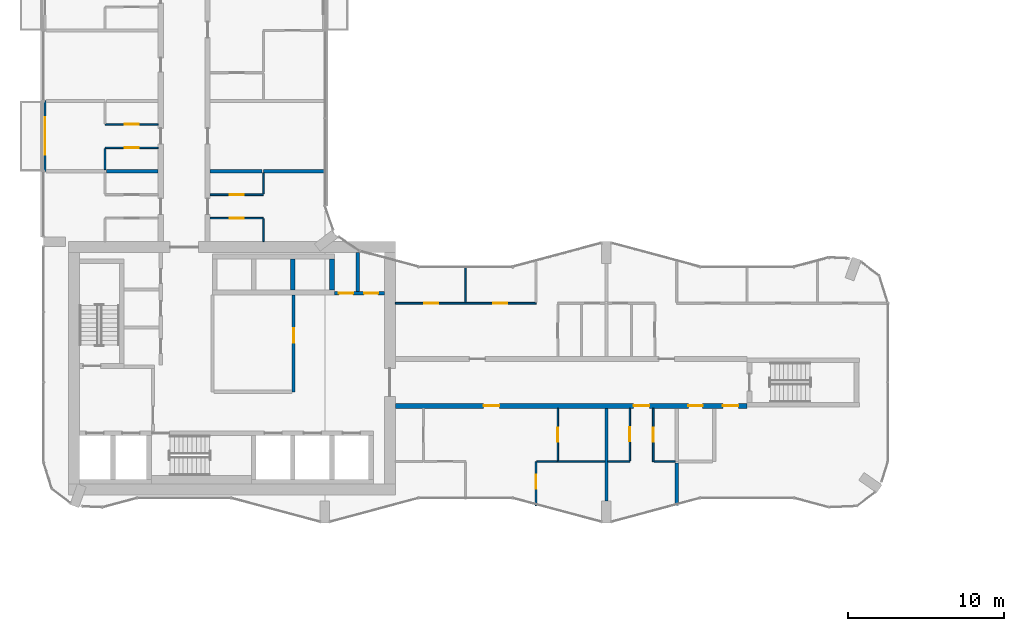
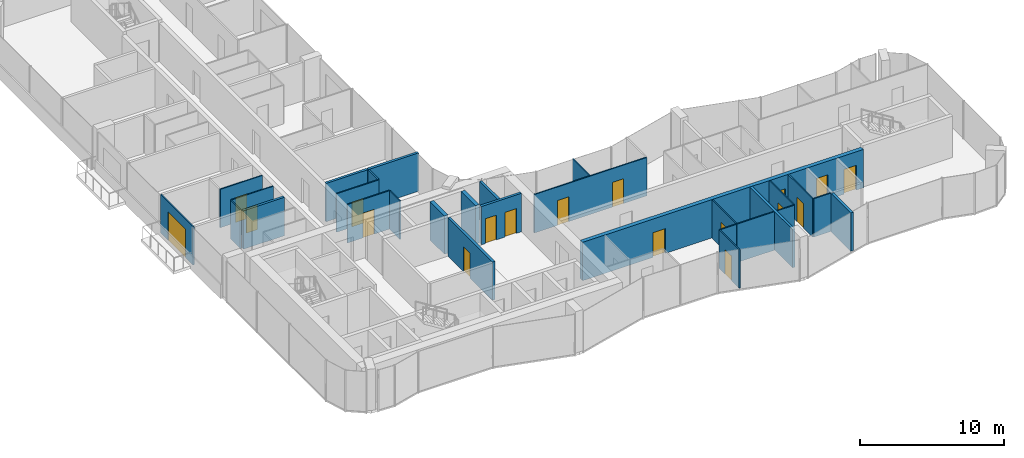
# One storey, part 14 of 23: 29 walls, 18 doors, 18 openings.
"""IFC4 building model written with IfcOpenShell, lengths in metres."""

from ifc_helpers import new_model, si_unit, direction, frame, frame_2d, origin, place, context, subcontext, project, spatial, rectangle, extrude, material, layer, layer_set, type_object, element, fill, save


model = new_model("IFC4")

# Units and contexts
model_context = context("Model", 3, precision=1e-05, world=origin(), true_north=direction((0.0, 1.0)))
body_context = subcontext(model_context, "Body", "Model", "MODEL_VIEW")
ifc_project = project(units=[si_unit("LENGTHUNIT", "METRE"), si_unit("AREAUNIT", "SQUARE_METRE"), si_unit("VOLUMEUNIT", "CUBIC_METRE"), si_unit("PLANEANGLEUNIT", "RADIAN"), si_unit("MASSUNIT", "GRAM", prefix="KILO")], contexts=[model_context])

# Site, building, storey
site_placement = place(None, origin())
site = spatial("IfcSite", under=ifc_project, at=site_placement, CompositionType="ELEMENT")
building_placement = place(site_placement, origin())
building = spatial("IfcBuilding", under=site, at=building_placement, Name="Plateau Cross Towers", CompositionType="ELEMENT")
storey_placement = place(building_placement, frame((0.0, 0.0, 88.800048828125)))
storey = spatial("IfcBuildingStorey", under=building, at=storey_placement, Name="L22", CompositionType="ELEMENT", Elevation=88.800048828125)

# Wall, opening, door
ifc_material_1 = material(Name="Aluminium framed glazing", Category="aluminium")
ifc_layer_1 = layer(ifc_material_1, 0.10009765625)
ifc_layer_set_1 = layer_set([ifc_layer_1], Name="Aluminium framed glazing")
wall_type_1 = type_object("IfcWallType", Name="Balcony screen wall 100", PredefinedType="STANDARD", material=ifc_layer_set_1)
wall_1_placement = place(storey_placement, frame((0.10009765625, 22.5, 0.0), z_axis=(0.0, 0.0, 1.0), x_axis=(0.0, 1.0, 0.0)))
wall_1 = element("IfcWall", 1, at=wall_1_placement, inside=storey, type_object=wall_type_1, Name="Balcony screen wall A-BAL-L22-01", PredefinedType="STANDARD", context=body_context, shape_type="SweptSolid", body=[
    extrude(rectangle(XDim=4.5, YDim=0.10009765625, at=frame_2d((2.25, 0.0))), origin(), (0.0, 0.0, 1.0), 3.25),
])
opening_1_placement = place(wall_1_placement, frame((1.050048828125, 0.0, 0.0)))
opening_1 = element("IfcOpeningElement", 2, at=opening_1_placement, cuts=wall_1, Name="Opening D-B24", PredefinedType="OPENING", context=body_context, shape_type="SweptSolid", body=[
    extrude(rectangle(XDim=2.39990234375, YDim=2.39990234375, at=frame_2d((1.199951171875, 1.199951171875))), frame((0.0, 0.06005859375, 0.0), z_axis=(0.0, -1.0, 0.0), x_axis=(1.0, 0.0, 0.0)), (0.0, 0.0, 1.0), 0.1201171875),
])
ifc_material_2 = material(Name="Aluminium frame, double glazing", Category="aluminium")
door_type_1 = type_object("IfcDoorType", Name="Balcony sliding door 2400", OperationType="NOTDEFINED", PredefinedType="DOOR", material=ifc_material_2)
door_1_placement = place(opening_1_placement, origin())
door_1 = element("IfcDoor", 3, at=door_1_placement, inside=storey, type_object=door_type_1, Name="Balcony door A-BAL-L22-01", OperationType="SINGLE_SWING_LEFT", OverallHeight=2.39990234375, OverallWidth=2.39990234375, PredefinedType="DOOR", context=body_context, shape_type="SweptSolid", body=[
    extrude(rectangle(XDim=2.39990234375, YDim=2.39990234375, at=frame_2d((1.199951171875, 1.199951171875))), frame((0.0, 0.02490234375, 0.0), z_axis=(0.0, -1.0, 0.0), x_axis=(1.0, 0.0, 0.0)), (0.0, 0.0, 1.0), 0.050048828125),
])
fill(opening_1, door_1)

ifc_material_3 = material(Name="Concrete block, plastered both sides", Category="concrete")
ifc_layer_2 = layer(ifc_material_3, 0.199951171875)
ifc_layer_set_2 = layer_set([ifc_layer_2], Name="Concrete block, plastered both sides")
wall_type_2 = type_object("IfcWallType", Name="Core partition 200", PredefinedType="PARTITIONING", material=ifc_layer_set_2)
wall_2_placement = place(storey_placement, frame((16.0, 8.39990234375, 0.0), z_axis=(0.0, 0.0, 1.0), x_axis=(0.0, 1.0, 0.0)))
wall_2 = element("IfcWall", 4, at=wall_2_placement, inside=storey, type_object=wall_type_2, Name="Core partition", PredefinedType="PARTITIONING", context=body_context, shape_type="SweptSolid", body=[
    extrude(rectangle(XDim=6.2001953125, YDim=0.199951171875, at=frame_2d((3.10009765625, 0.0))), origin(), (0.0, 0.0, 1.0), 3.25),
])
opening_2_placement = place(wall_2_placement, frame((3.14990234375, 0.0, 0.0)))
opening_2 = element("IfcOpeningElement", 5, at=opening_2_placement, cuts=wall_2, Name="Opening RD1", PredefinedType="OPENING", context=body_context, shape_type="SweptSolid", body=[
    extrude(rectangle(XDim=0.89990234375, YDim=2.10009765625, at=frame_2d((0.449951171875, 1.050048828125))), frame((0.0, 0.10986328125, 0.0), z_axis=(0.0, -1.0, 0.0), x_axis=(1.0, 0.0, 0.0)), (0.0, 0.0, 1.0), 0.219970703125),
])
ifc_material_4 = material(Name="Timber, fire-resisting leaf", Category="wood")
door_type_2 = type_object("IfcDoorType", Name="Core service door 900", OperationType="NOTDEFINED", PredefinedType="DOOR", material=ifc_material_4)
door_2_placement = place(opening_2_placement, origin())
door_2 = element("IfcDoor", 6, at=door_2_placement, inside=storey, type_object=door_type_2, Name="Core service door RD1", OperationType="SINGLE_SWING_LEFT", OverallHeight=2.10009765625, OverallWidth=0.89990234375, PredefinedType="DOOR", context=body_context, shape_type="SweptSolid", body=[
    extrude(rectangle(XDim=0.89990234375, YDim=2.10009765625, at=frame_2d((0.449951171875, 1.050048828125))), frame((0.0, 0.02490234375, 0.0), z_axis=(0.0, -1.0, 0.0), x_axis=(1.0, 0.0, 0.0)), (0.0, 0.0, 1.0), 0.050048828125),
])
fill(opening_2, door_2)

# Wall, openings, doors
wall_3_placement = place(storey_placement, frame((18.60009765625, 14.699951171875, 0.0), z_axis=(0.0, 0.0, 1.0), x_axis=(1.0, 0.0, 0.0)))
wall_3 = element("IfcWall", 7, at=wall_3_placement, inside=storey, type_object=wall_type_2, Name="Core partition", PredefinedType="PARTITIONING", context=body_context, shape_type="SweptSolid", body=[
    extrude(rectangle(XDim=3.199951171875, YDim=0.199951171875, at=frame_2d((1.60009765625, 0.0))), origin(), (0.0, 0.0, 1.0), 3.25),
])
opening_3_placement = place(wall_3_placement, frame((0.300048828125, 0.0, 0.0)))
opening_3 = element("IfcOpeningElement", 8, at=opening_3_placement, cuts=wall_3, Name="Opening RD2", PredefinedType="OPENING", context=body_context, shape_type="SweptSolid", body=[
    extrude(rectangle(XDim=0.89990234375, YDim=2.10009765625, at=frame_2d((0.449951171875, 1.050048828125))), frame((0.0, 0.10986328125, 0.0), z_axis=(0.0, -1.0, 0.0), x_axis=(1.0, 0.0, 0.0)), (0.0, 0.0, 1.0), 0.219970703125),
])
opening_4_placement = place(wall_3_placement, frame((1.89990234375, 0.0, 0.0)))
opening_4 = element("IfcOpeningElement", 9, at=opening_4_placement, cuts=wall_3, Name="Opening RD2", PredefinedType="OPENING", context=body_context, shape_type="SweptSolid", body=[
    extrude(rectangle(XDim=0.89990234375, YDim=2.10009765625, at=frame_2d((0.449951171875, 1.050048828125))), frame((0.0, 0.10986328125, 0.0), z_axis=(0.0, -1.0, 0.0), x_axis=(1.0, 0.0, 0.0)), (0.0, 0.0, 1.0), 0.219970703125),
])
ifc_material_5 = material(Name="Steel, fire-resisting leaf", Category="steel")
door_type_3 = type_object("IfcDoorType", Name="Core riser door 900", OperationType="NOTDEFINED", PredefinedType="DOOR", material=ifc_material_5)
door_3_placement = place(opening_3_placement, origin())
door_3 = element("IfcDoor", 10, at=door_3_placement, inside=storey, type_object=door_type_3, Name="Core riser door RD2", OperationType="SINGLE_SWING_LEFT", OverallHeight=2.10009765625, OverallWidth=0.89990234375, PredefinedType="DOOR", context=body_context, shape_type="SweptSolid", body=[
    extrude(rectangle(XDim=0.89990234375, YDim=2.10009765625, at=frame_2d((0.449951171875, 1.050048828125))), frame((0.0, 0.02490234375, 0.0), z_axis=(0.0, -1.0, 0.0), x_axis=(1.0, 0.0, 0.0)), (0.0, 0.0, 1.0), 0.050048828125),
])
fill(opening_3, door_3)
door_4_placement = place(opening_4_placement, origin())
door_4 = element("IfcDoor", 11, at=door_4_placement, inside=storey, type_object=door_type_3, Name="Core riser door RD2", OperationType="SINGLE_SWING_LEFT", OverallHeight=2.10009765625, OverallWidth=0.89990234375, PredefinedType="DOOR", context=body_context, shape_type="SweptSolid", body=[
    extrude(rectangle(XDim=0.89990234375, YDim=2.10009765625, at=frame_2d((0.449951171875, 1.050048828125))), frame((0.0, 0.02490234375, 0.0), z_axis=(0.0, -1.0, 0.0), x_axis=(1.0, 0.0, 0.0)), (0.0, 0.0, 1.0), 0.050048828125),
])
fill(opening_4, door_4)

# Walls
wall_4_placement = place(storey_placement, frame((20.10009765625, 14.800048828125, 0.0), z_axis=(0.0, 0.0, 1.0), x_axis=(0.0, 1.0, 0.0)))
element("IfcWall", 12, at=wall_4_placement, inside=storey, type_object=wall_type_2, Name="Core partition", PredefinedType="PARTITIONING", context=body_context, shape_type="SweptSolid", body=[
    extrude(rectangle(XDim=2.5, YDim=0.199951171875, at=frame_2d((1.25, 0.0))), origin(), (0.0, 0.0, 1.0), 3.25),
])
ifc_material_6 = material(Name="Concrete C60/75", Category="concrete")
ifc_layer_3 = layer(ifc_material_6, 0.300048828125)
ifc_layer_set_3 = layer_set([ifc_layer_3], Name="Concrete C60/75")
wall_type_3 = type_object("IfcWallType", Name="Core shaft wall 300", PredefinedType="SHEAR", material=ifc_layer_set_3)
for number, where, z_axis, x_axis, name in (
    (13, (15.949951171875, 14.89990234375, 0.0), (0.0, 0.0, 1.0), (0.0, 1.0, 0.0), "A-nb-v3@L22"),
    (14, (18.449951171875, 14.89990234375, 0.0), (0.0, 0.0, 1.0), (0.0, 1.0, 0.0), "A-nb-v4@L22"),
):
    element("IfcWall", number, at=place(storey_placement, frame(where, z_axis=z_axis, x_axis=x_axis)), inside=storey, type_object=wall_type_3, Name=name, PredefinedType="SHEAR", context=body_context, shape_type="SweptSolid", body=[
        extrude(rectangle(XDim=2.0, YDim=0.300048828125, at=frame_2d((1.0, 0.0))), origin(), (0.0, 0.0, 1.0), 3.25),
    ])

# Wall, openings, doors
ifc_layer_4 = layer(ifc_material_6, 0.324951171875)
ifc_layer_set_4 = layer_set([ifc_layer_4], Name="Concrete C60/75")
wall_type_4 = type_object("IfcWallType", Name="Corridor wall 325", PredefinedType="SHEAR", material=ifc_layer_set_4)
wall_5_placement = place(storey_placement, frame((22.5, 7.5, 0.0), z_axis=(0.0, 0.0, 1.0), x_axis=(1.0, 0.0, 0.0)))
wall_5 = element("IfcWall", 15, at=wall_5_placement, inside=storey, type_object=wall_type_4, Name="A-cw-S1@L22", PredefinedType="SHEAR", context=body_context, shape_type="SweptSolid", body=[
    extrude(rectangle(XDim=22.5, YDim=0.324951171875, at=frame_2d((11.25, 0.0))), origin(), (0.0, 0.0, 1.0), 3.25),
])
opening_5_placement = place(wall_5_placement, frame((5.64990234375, 0.0, 0.0)))
opening_5 = element("IfcOpeningElement", 16, at=opening_5_placement, cuts=wall_5, Name="Opening 22-01", PredefinedType="OPENING", context=body_context, shape_type="SweptSolid", body=[
    extrude(rectangle(XDim=1.0, YDim=2.10009765625, at=frame_2d((0.5, 1.050048828125))), frame((0.0, 0.17236328125, 0.0), z_axis=(0.0, -1.0, 0.0), x_axis=(1.0, 0.0, 0.0)), (0.0, 0.0, 1.0), 0.344970703125),
])
opening_6_placement = place(wall_5_placement, frame((15.25, 0.0, 0.0)))
opening_6 = element("IfcOpeningElement", 17, at=opening_6_placement, cuts=wall_5, Name="Opening 22-02", PredefinedType="OPENING", context=body_context, shape_type="SweptSolid", body=[
    extrude(rectangle(XDim=1.0, YDim=2.10009765625, at=frame_2d((0.5, 1.050048828125))), frame((0.0, 0.17236328125, 0.0), z_axis=(0.0, -1.0, 0.0), x_axis=(1.0, 0.0, 0.0)), (0.0, 0.0, 1.0), 0.344970703125),
])
opening_7_placement = place(wall_5_placement, frame((18.75, 0.0, 0.0)))
opening_7 = element("IfcOpeningElement", 18, at=opening_7_placement, cuts=wall_5, Name="Opening 22-03", PredefinedType="OPENING", context=body_context, shape_type="SweptSolid", body=[
    extrude(rectangle(XDim=0.89990234375, YDim=2.10009765625, at=frame_2d((0.449951171875, 1.050048828125))), frame((0.0, 0.17236328125, 0.0), z_axis=(0.0, -1.0, 0.0), x_axis=(1.0, 0.0, 0.0)), (0.0, 0.0, 1.0), 0.344970703125),
])
opening_8_placement = place(wall_5_placement, frame((20.949951171875, 0.0, 0.0)))
opening_8 = element("IfcOpeningElement", 19, at=opening_8_placement, cuts=wall_5, Name="Opening 22-04", PredefinedType="OPENING", context=body_context, shape_type="SweptSolid", body=[
    extrude(rectangle(XDim=1.0, YDim=2.10009765625, at=frame_2d((0.5, 1.050048828125))), frame((0.0, 0.17236328125, 0.0), z_axis=(0.0, -1.0, 0.0), x_axis=(1.0, 0.0, 0.0)), (0.0, 0.0, 1.0), 0.344970703125),
])
door_type_4 = type_object("IfcDoorType", Name="Flat entrance door 1000", OperationType="NOTDEFINED", PredefinedType="DOOR", material=ifc_material_4)
door_5_placement = place(opening_5_placement, origin())
door_5 = element("IfcDoor", 20, at=door_5_placement, inside=storey, type_object=door_type_4, Name="Door 22-01", OperationType="SINGLE_SWING_LEFT", OverallHeight=2.10009765625, OverallWidth=1.0, PredefinedType="DOOR", context=body_context, shape_type="SweptSolid", body=[
    extrude(rectangle(XDim=1.0, YDim=2.10009765625, at=frame_2d((0.5, 1.050048828125))), frame((0.0, 0.02490234375, 0.0), z_axis=(0.0, -1.0, 0.0), x_axis=(1.0, 0.0, 0.0)), (0.0, 0.0, 1.0), 0.050048828125),
])
fill(opening_5, door_5)
door_6_placement = place(opening_6_placement, origin())
door_6 = element("IfcDoor", 21, at=door_6_placement, inside=storey, type_object=door_type_4, Name="Door 22-02", OperationType="SINGLE_SWING_RIGHT", OverallHeight=2.10009765625, OverallWidth=1.0, PredefinedType="DOOR", context=body_context, shape_type="SweptSolid", body=[
    extrude(rectangle(XDim=1.0, YDim=2.10009765625, at=frame_2d((0.5, 1.050048828125))), frame((0.0, 0.02490234375, 0.0), z_axis=(0.0, -1.0, 0.0), x_axis=(1.0, 0.0, 0.0)), (0.0, 0.0, 1.0), 0.050048828125),
])
fill(opening_6, door_6)
door_7_placement = place(opening_8_placement, origin())
door_7 = element("IfcDoor", 22, at=door_7_placement, inside=storey, type_object=door_type_4, Name="Door 22-04", OperationType="SINGLE_SWING_RIGHT", OverallHeight=2.10009765625, OverallWidth=1.0, PredefinedType="DOOR", context=body_context, shape_type="SweptSolid", body=[
    extrude(rectangle(XDim=1.0, YDim=2.10009765625, at=frame_2d((0.5, 1.050048828125))), frame((0.0, 0.02490234375, 0.0), z_axis=(0.0, -1.0, 0.0), x_axis=(1.0, 0.0, 0.0)), (0.0, 0.0, 1.0), 0.050048828125),
])
fill(opening_8, door_7)
door_type_5 = type_object("IfcDoorType", Name="Flat floor service door 900", OperationType="NOTDEFINED", PredefinedType="DOOR", material=ifc_material_4)
door_8_placement = place(opening_7_placement, origin())
door_8 = element("IfcDoor", 23, at=door_8_placement, inside=storey, type_object=door_type_5, Name="Door 22-03", OperationType="SINGLE_SWING_RIGHT", OverallHeight=2.10009765625, OverallWidth=0.89990234375, PredefinedType="DOOR", context=body_context, shape_type="SweptSolid", body=[
    extrude(rectangle(XDim=0.89990234375, YDim=2.10009765625, at=frame_2d((0.449951171875, 1.050048828125))), frame((0.0, 0.02490234375, 0.0), z_axis=(0.0, -1.0, 0.0), x_axis=(1.0, 0.0, 0.0)), (0.0, 0.0, 1.0), 0.050048828125),
])
fill(opening_7, door_8)

# Walls
ifc_material_7 = material(Name="Gypsum board on steel studs", Category="steel")
ifc_layer_5 = layer(ifc_material_7, 0.10009765625)
ifc_layer_set_5 = layer_set([ifc_layer_5], Name="Gypsum board on steel studs")
wall_type_5 = type_object("IfcWallType", Name="Flat partition 100", PredefinedType="PARTITIONING", material=ifc_layer_set_5)
wall_6_placement = place(storey_placement, frame((32.85009765625, 3.9375, 0.0), z_axis=(0.0, 0.0, 1.0), x_axis=(-1.0, 0.0, 0.0)))
element("IfcWall", 24, at=wall_6_placement, inside=storey, type_object=wall_type_5, Name="Partition wall", PredefinedType="PARTITIONING", context=body_context, shape_type="SweptSolid", body=[
    extrude(rectangle(XDim=1.300048828125, YDim=0.10009765625, at=frame_2d((0.64990234375, 0.0))), origin(), (0.0, 0.0, 1.0), 3.25),
])
wall_7_placement = place(storey_placement, frame((32.89990234375, 3.9375, 0.0), z_axis=(0.0, 0.0, 1.0), x_axis=(1.0, 0.0, 0.0)))
element("IfcWall", 25, at=wall_7_placement, inside=storey, type_object=wall_type_5, Name="Partition wall", PredefinedType="PARTITIONING", context=body_context, shape_type="SweptSolid", body=[
    extrude(rectangle(XDim=3.0, YDim=0.10009765625, at=frame_2d((1.5, 0.0))), origin(), (0.0, 0.0, 1.0), 3.25),
])
wall_8_placement = place(storey_placement, frame((36.10009765625, 3.9375, 0.0), z_axis=(0.0, 0.0, 1.0), x_axis=(1.0, 0.0, 0.0)))
element("IfcWall", 26, at=wall_8_placement, inside=storey, type_object=wall_type_5, Name="Partition wall", PredefinedType="PARTITIONING", context=body_context, shape_type="SweptSolid", body=[
    extrude(rectangle(XDim=1.39990234375, YDim=0.10009765625, at=frame_2d((0.699951171875, 0.0))), origin(), (0.0, 0.0, 1.0), 3.25),
])
wall_9_placement = place(storey_placement, frame((39.050048828125, 3.9375, 0.0), z_axis=(0.0, 0.0, 1.0), x_axis=(1.0, 0.0, 0.0)))
element("IfcWall", 27, at=wall_9_placement, inside=storey, type_object=wall_type_5, Name="Partition wall", PredefinedType="PARTITIONING", context=body_context, shape_type="SweptSolid", body=[
    extrude(rectangle(XDim=1.349853515625, YDim=0.10009765625, at=frame_2d((0.6748046875, 0.0))), origin(), (0.0, 0.0, 1.0), 3.25),
])

# Wall, openings, doors
wall_10_placement = place(storey_placement, frame((22.5, 14.0625, 0.0), z_axis=(0.0, 0.0, 1.0), x_axis=(1.0, 0.0, 0.0)))
wall_10 = element("IfcWall", 28, at=wall_10_placement, inside=storey, type_object=wall_type_5, Name="Partition wall", PredefinedType="PARTITIONING", context=body_context, shape_type="SweptSolid", body=[
    extrude(rectangle(XDim=9.0, YDim=0.10009765625, at=frame_2d((4.5, 0.0))), origin(), (0.0, 0.0, 1.0), 3.25),
])
opening_9_placement = place(wall_10_placement, frame((1.85009765625, 0.0, 0.0)))
opening_9 = element("IfcOpeningElement", 29, at=opening_9_placement, cuts=wall_10, Name="Opening 22-26", PredefinedType="OPENING", context=body_context, shape_type="SweptSolid", body=[
    extrude(rectangle(XDim=0.89990234375, YDim=2.10009765625, at=frame_2d((0.449951171875, 1.050048828125))), frame((0.0, 0.06005859375, 0.0), z_axis=(0.0, -1.0, 0.0), x_axis=(1.0, 0.0, 0.0)), (0.0, 0.0, 1.0), 0.1201171875),
])
opening_10_placement = place(wall_10_placement, frame((6.25, 0.0, 0.0)))
opening_10 = element("IfcOpeningElement", 30, at=opening_10_placement, cuts=wall_10, Name="Opening 22-27", PredefinedType="OPENING", context=body_context, shape_type="SweptSolid", body=[
    extrude(rectangle(XDim=0.89990234375, YDim=2.10009765625, at=frame_2d((0.449951171875, 1.050048828125))), frame((0.0, 0.06005859375, 0.0), z_axis=(0.0, -1.0, 0.0), x_axis=(1.0, 0.0, 0.0)), (0.0, 0.0, 1.0), 0.1201171875),
])
ifc_material_8 = material(Name="Timber leaf", Category="wood")
door_type_6 = type_object("IfcDoorType", Name="Flat room door 900", OperationType="NOTDEFINED", PredefinedType="DOOR", material=ifc_material_8)
door_9_placement = place(opening_9_placement, origin())
door_9 = element("IfcDoor", 31, at=door_9_placement, inside=storey, type_object=door_type_6, Name="Door 22-26", OperationType="SINGLE_SWING_LEFT", OverallHeight=2.10009765625, OverallWidth=0.89990234375, PredefinedType="DOOR", context=body_context, shape_type="SweptSolid", body=[
    extrude(rectangle(XDim=0.89990234375, YDim=2.10009765625, at=frame_2d((0.449951171875, 1.050048828125))), frame((0.0, 0.02490234375, 0.0), z_axis=(0.0, -1.0, 0.0), x_axis=(1.0, 0.0, 0.0)), (0.0, 0.0, 1.0), 0.050048828125),
])
fill(opening_9, door_9)
door_10_placement = place(opening_10_placement, origin())
door_10 = element("IfcDoor", 32, at=door_10_placement, inside=storey, type_object=door_type_6, Name="Door 22-27", OperationType="SINGLE_SWING_RIGHT", OverallHeight=2.10009765625, OverallWidth=0.89990234375, PredefinedType="DOOR", context=body_context, shape_type="SweptSolid", body=[
    extrude(rectangle(XDim=0.89990234375, YDim=2.10009765625, at=frame_2d((0.449951171875, 1.050048828125))), frame((0.0, 0.02490234375, 0.0), z_axis=(0.0, -1.0, 0.0), x_axis=(1.0, 0.0, 0.0)), (0.0, 0.0, 1.0), 0.050048828125),
])
fill(opening_10, door_10)

# Wall, opening, door
wall_11_placement = place(storey_placement, frame((14.0625, 19.5, 0.0), z_axis=(0.0, 0.0, 1.0), x_axis=(-1.0, 0.0, 0.0)))
wall_11 = element("IfcWall", 33, at=wall_11_placement, inside=storey, type_object=wall_type_5, Name="Partition wall", PredefinedType="PARTITIONING", context=body_context, shape_type="SweptSolid", body=[
    extrude(rectangle(XDim=3.39990234375, YDim=0.10009765625, at=frame_2d((1.699951171875, 0.0))), origin(), (0.0, 0.0, 1.0), 3.25),
])
opening_11_placement = place(wall_11_placement, frame((1.25, 0.0, 0.0)))
opening_11 = element("IfcOpeningElement", 34, at=opening_11_placement, cuts=wall_11, Name="Opening 22-39", PredefinedType="OPENING", context=body_context, shape_type="SweptSolid", body=[
    extrude(rectangle(XDim=0.89990234375, YDim=2.10009765625, at=frame_2d((0.449951171875, 1.050048828125))), frame((0.0, 0.06005859375, 0.0), z_axis=(0.0, -1.0, 0.0), x_axis=(1.0, 0.0, 0.0)), (0.0, 0.0, 1.0), 0.1201171875),
])
door_11_placement = place(opening_11_placement, origin())
door_11 = element("IfcDoor", 35, at=door_11_placement, inside=storey, type_object=door_type_6, Name="Door 22-39", OperationType="SINGLE_SWING_LEFT", OverallHeight=2.10009765625, OverallWidth=0.89990234375, PredefinedType="DOOR", context=body_context, shape_type="SweptSolid", body=[
    extrude(rectangle(XDim=0.89990234375, YDim=2.10009765625, at=frame_2d((0.449951171875, 1.050048828125))), frame((0.0, 0.02490234375, 0.0), z_axis=(0.0, -1.0, 0.0), x_axis=(1.0, 0.0, 0.0)), (0.0, 0.0, 1.0), 0.050048828125),
])
fill(opening_11, door_11)

wall_12_placement = place(storey_placement, frame((10.66259765625, 21.0, 0.0), z_axis=(0.0, 0.0, 1.0), x_axis=(1.0, 0.0, 0.0)))
wall_12 = element("IfcWall", 36, at=wall_12_placement, inside=storey, type_object=wall_type_5, Name="Partition wall", PredefinedType="PARTITIONING", context=body_context, shape_type="SweptSolid", body=[
    extrude(rectangle(XDim=3.39990234375, YDim=0.10009765625, at=frame_2d((1.699951171875, 0.0))), origin(), (0.0, 0.0, 1.0), 3.25),
])
opening_12_placement = place(wall_12_placement, frame((1.25, 0.0, 0.0)))
opening_12 = element("IfcOpeningElement", 37, at=opening_12_placement, cuts=wall_12, Name="Opening 22-40", PredefinedType="OPENING", context=body_context, shape_type="SweptSolid", body=[
    extrude(rectangle(XDim=0.89990234375, YDim=2.10009765625, at=frame_2d((0.449951171875, 1.050048828125))), frame((0.0, 0.06005859375, 0.0), z_axis=(0.0, -1.0, 0.0), x_axis=(1.0, 0.0, 0.0)), (0.0, 0.0, 1.0), 0.1201171875),
])
door_12_placement = place(opening_12_placement, origin())
door_12 = element("IfcDoor", 38, at=door_12_placement, inside=storey, type_object=door_type_6, Name="Door 22-40", OperationType="SINGLE_SWING_LEFT", OverallHeight=2.10009765625, OverallWidth=0.89990234375, PredefinedType="DOOR", context=body_context, shape_type="SweptSolid", body=[
    extrude(rectangle(XDim=0.89990234375, YDim=2.10009765625, at=frame_2d((0.449951171875, 1.050048828125))), frame((0.0, 0.02490234375, 0.0), z_axis=(0.0, -1.0, 0.0), x_axis=(1.0, 0.0, 0.0)), (0.0, 0.0, 1.0), 0.050048828125),
])
fill(opening_12, door_12)

wall_13_placement = place(storey_placement, frame((7.33740234375, 24.0, 0.0), z_axis=(0.0, 0.0, 1.0), x_axis=(-1.0, 0.0, 0.0)))
wall_13 = element("IfcWall", 39, at=wall_13_placement, inside=storey, type_object=wall_type_5, Name="Partition wall", PredefinedType="PARTITIONING", context=body_context, shape_type="SweptSolid", body=[
    extrude(rectangle(XDim=3.39990234375, YDim=0.10009765625, at=frame_2d((1.699951171875, 0.0))), origin(), (0.0, 0.0, 1.0), 3.25),
])
opening_13_placement = place(wall_13_placement, frame((1.25, 0.0, 0.0)))
opening_13 = element("IfcOpeningElement", 40, at=opening_13_placement, cuts=wall_13, Name="Opening 22-35", PredefinedType="OPENING", context=body_context, shape_type="SweptSolid", body=[
    extrude(rectangle(XDim=0.89990234375, YDim=2.10009765625, at=frame_2d((0.449951171875, 1.050048828125))), frame((0.0, 0.06005859375, 0.0), z_axis=(0.0, -1.0, 0.0), x_axis=(1.0, 0.0, 0.0)), (0.0, 0.0, 1.0), 0.1201171875),
])
door_13_placement = place(opening_13_placement, origin())
door_13 = element("IfcDoor", 41, at=door_13_placement, inside=storey, type_object=door_type_6, Name="Door 22-35", OperationType="SINGLE_SWING_LEFT", OverallHeight=2.10009765625, OverallWidth=0.89990234375, PredefinedType="DOOR", context=body_context, shape_type="SweptSolid", body=[
    extrude(rectangle(XDim=0.89990234375, YDim=2.10009765625, at=frame_2d((0.449951171875, 1.050048828125))), frame((0.0, 0.02490234375, 0.0), z_axis=(0.0, -1.0, 0.0), x_axis=(1.0, 0.0, 0.0)), (0.0, 0.0, 1.0), 0.050048828125),
])
fill(opening_13, door_13)

wall_14_placement = place(storey_placement, frame((3.9375, 25.5, 0.0), z_axis=(0.0, 0.0, 1.0), x_axis=(1.0, 0.0, 0.0)))
wall_14 = element("IfcWall", 42, at=wall_14_placement, inside=storey, type_object=wall_type_5, Name="Partition wall", PredefinedType="PARTITIONING", context=body_context, shape_type="SweptSolid", body=[
    extrude(rectangle(XDim=3.39990234375, YDim=0.10009765625, at=frame_2d((1.699951171875, 0.0))), origin(), (0.0, 0.0, 1.0), 3.25),
])
opening_14_placement = place(wall_14_placement, frame((1.25, 0.0, 0.0)))
opening_14 = element("IfcOpeningElement", 43, at=opening_14_placement, cuts=wall_14, Name="Opening 22-36", PredefinedType="OPENING", context=body_context, shape_type="SweptSolid", body=[
    extrude(rectangle(XDim=0.89990234375, YDim=2.10009765625, at=frame_2d((0.449951171875, 1.050048828125))), frame((0.0, 0.06005859375, 0.0), z_axis=(0.0, -1.0, 0.0), x_axis=(1.0, 0.0, 0.0)), (0.0, 0.0, 1.0), 0.1201171875),
])
door_14_placement = place(opening_14_placement, origin())
door_14 = element("IfcDoor", 44, at=door_14_placement, inside=storey, type_object=door_type_6, Name="Door 22-36", OperationType="SINGLE_SWING_LEFT", OverallHeight=2.10009765625, OverallWidth=0.89990234375, PredefinedType="DOOR", context=body_context, shape_type="SweptSolid", body=[
    extrude(rectangle(XDim=0.89990234375, YDim=2.10009765625, at=frame_2d((0.449951171875, 1.050048828125))), frame((0.0, 0.02490234375, 0.0), z_axis=(0.0, -1.0, 0.0), x_axis=(1.0, 0.0, 0.0)), (0.0, 0.0, 1.0), 0.050048828125),
])
fill(opening_14, door_14)

# Walls
wall_15_placement = place(storey_placement, frame((3.9375, 23.949951171875, 0.0), z_axis=(0.0, 0.0, 1.0), x_axis=(0.0, -1.0, 0.0)))
element("IfcWall", 45, at=wall_15_placement, inside=storey, type_object=wall_type_5, Name="Partition wall", PredefinedType="PARTITIONING", context=body_context, shape_type="SweptSolid", body=[
    extrude(rectangle(XDim=1.349853515625, YDim=0.10009765625, at=frame_2d((0.6748046875, 0.0))), origin(), (0.0, 0.0, 1.0), 3.25),
])
wall_16_placement = place(storey_placement, frame((14.0625, 18.0, 0.0), z_axis=(0.0, 0.0, 1.0), x_axis=(0.0, 1.0, 0.0)))
element("IfcWall", 46, at=wall_16_placement, inside=storey, type_object=wall_type_5, Name="Partition wall", PredefinedType="PARTITIONING", context=body_context, shape_type="SweptSolid", body=[
    extrude(rectangle(XDim=1.449951171875, YDim=0.10009765625, at=frame_2d((0.72509765625, 0.0))), origin(), (0.0, 0.0, 1.0), 3.25),
])
wall_17_placement = place(storey_placement, frame((14.0625, 21.050048828125, 0.0), z_axis=(0.0, 0.0, 1.0), x_axis=(0.0, 1.0, 0.0)))
element("IfcWall", 47, at=wall_17_placement, inside=storey, type_object=wall_type_5, Name="Partition wall", PredefinedType="PARTITIONING", context=body_context, shape_type="SweptSolid", body=[
    extrude(rectangle(XDim=1.349853515625, YDim=0.10009765625, at=frame_2d((0.6748046875, 0.0))), origin(), (0.0, 0.0, 1.0), 3.25),
])
wall_18_placement = place(storey_placement, frame((27.0, 14.112548828125, 0.0), z_axis=(0.0, 0.0, 1.0), x_axis=(0.0, 1.0, 0.0)))
element("IfcWall", 48, at=wall_18_placement, inside=storey, type_object=wall_type_5, Name="Partition wall", PredefinedType="PARTITIONING", context=body_context, shape_type="SweptSolid", body=[
    extrude(rectangle(XDim=2.360595703125, YDim=0.10009765625, at=frame_2d((1.18017578125, 0.0))), origin(), (0.0, 0.0, 1.0), 3.25),
])

# Wall, opening, door
wall_19_placement = place(storey_placement, frame((31.5, 3.9375, 0.0), z_axis=(0.0, 0.0, 1.0), x_axis=(0.0, -1.0, 0.0)))
wall_19 = element("IfcWall", 49, at=wall_19_placement, inside=storey, type_object=wall_type_5, Name="Partition wall", PredefinedType="PARTITIONING", context=body_context, shape_type="SweptSolid", body=[
    extrude(rectangle(XDim=2.815185546875, YDim=0.10009765625, at=frame_2d((1.40771484375, 0.0))), origin(), (0.0, 0.0, 1.0), 3.25),
])
opening_15_placement = place(wall_19_placement, frame((0.85009765625, 0.0, 0.0)))
opening_15 = element("IfcOpeningElement", 50, at=opening_15_placement, cuts=wall_19, Name="Opening 22-21", PredefinedType="OPENING", context=body_context, shape_type="SweptSolid", body=[
    extrude(rectangle(XDim=0.89990234375, YDim=2.10009765625, at=frame_2d((0.449951171875, 1.050048828125))), frame((0.0, 0.06005859375, 0.0), z_axis=(0.0, -1.0, 0.0), x_axis=(1.0, 0.0, 0.0)), (0.0, 0.0, 1.0), 0.1201171875),
])
door_15_placement = place(opening_15_placement, origin())
door_15 = element("IfcDoor", 51, at=door_15_placement, inside=storey, type_object=door_type_6, Name="Door 22-21", OperationType="SINGLE_SWING_LEFT", OverallHeight=2.10009765625, OverallWidth=0.89990234375, PredefinedType="DOOR", context=body_context, shape_type="SweptSolid", body=[
    extrude(rectangle(XDim=0.89990234375, YDim=2.10009765625, at=frame_2d((0.449951171875, 1.050048828125))), frame((0.0, 0.02490234375, 0.0), z_axis=(0.0, -1.0, 0.0), x_axis=(1.0, 0.0, 0.0)), (0.0, 0.0, 1.0), 0.050048828125),
])
fill(opening_15, door_15)

wall_20_placement = place(storey_placement, frame((32.89990234375, 7.33740234375, 0.0), z_axis=(0.0, 0.0, 1.0), x_axis=(0.0, -1.0, 0.0)))
wall_20 = element("IfcWall", 52, at=wall_20_placement, inside=storey, type_object=wall_type_5, Name="Partition wall", PredefinedType="PARTITIONING", context=body_context, shape_type="SweptSolid", body=[
    extrude(rectangle(XDim=3.349853515625, YDim=0.10009765625, at=frame_2d((1.6748046875, 0.0))), origin(), (0.0, 0.0, 1.0), 3.25),
])
opening_16_placement = place(wall_20_placement, frame((1.25, 0.0, 0.0)))
opening_16 = element("IfcOpeningElement", 53, at=opening_16_placement, cuts=wall_20, Name="Opening 22-19", PredefinedType="OPENING", context=body_context, shape_type="SweptSolid", body=[
    extrude(rectangle(XDim=0.89990234375, YDim=2.10009765625, at=frame_2d((0.449951171875, 1.050048828125))), frame((0.0, 0.06005859375, 0.0), z_axis=(0.0, -1.0, 0.0), x_axis=(1.0, 0.0, 0.0)), (0.0, 0.0, 1.0), 0.1201171875),
])
door_16_placement = place(opening_16_placement, origin())
door_16 = element("IfcDoor", 54, at=door_16_placement, inside=storey, type_object=door_type_6, Name="Door 22-19", OperationType="SINGLE_SWING_RIGHT", OverallHeight=2.10009765625, OverallWidth=0.89990234375, PredefinedType="DOOR", context=body_context, shape_type="SweptSolid", body=[
    extrude(rectangle(XDim=0.89990234375, YDim=2.10009765625, at=frame_2d((0.449951171875, 1.050048828125))), frame((0.0, 0.02490234375, 0.0), z_axis=(0.0, -1.0, 0.0), x_axis=(1.0, 0.0, 0.0)), (0.0, 0.0, 1.0), 0.050048828125),
])
fill(opening_16, door_16)

wall_21_placement = place(storey_placement, frame((37.5, 3.987548828125, 0.0), z_axis=(0.0, 0.0, 1.0), x_axis=(0.0, 1.0, 0.0)))
wall_21 = element("IfcWall", 55, at=wall_21_placement, inside=storey, type_object=wall_type_5, Name="Partition wall", PredefinedType="PARTITIONING", context=body_context, shape_type="SweptSolid", body=[
    extrude(rectangle(XDim=3.349853515625, YDim=0.10009765625, at=frame_2d((1.6748046875, 0.0))), origin(), (0.0, 0.0, 1.0), 3.25),
])
opening_17_placement = place(wall_21_placement, frame((1.25, 0.0, 0.0)))
opening_17 = element("IfcOpeningElement", 56, at=opening_17_placement, cuts=wall_21, Name="Opening 22-22", PredefinedType="OPENING", context=body_context, shape_type="SweptSolid", body=[
    extrude(rectangle(XDim=0.89990234375, YDim=2.10009765625, at=frame_2d((0.449951171875, 1.050048828125))), frame((0.0, 0.06005859375, 0.0), z_axis=(0.0, -1.0, 0.0), x_axis=(1.0, 0.0, 0.0)), (0.0, 0.0, 1.0), 0.1201171875),
])
door_17_placement = place(opening_17_placement, origin())
door_17 = element("IfcDoor", 57, at=door_17_placement, inside=storey, type_object=door_type_6, Name="Door 22-22", OperationType="SINGLE_SWING_RIGHT", OverallHeight=2.10009765625, OverallWidth=0.89990234375, PredefinedType="DOOR", context=body_context, shape_type="SweptSolid", body=[
    extrude(rectangle(XDim=0.89990234375, YDim=2.10009765625, at=frame_2d((0.449951171875, 1.050048828125))), frame((0.0, 0.02490234375, 0.0), z_axis=(0.0, -1.0, 0.0), x_axis=(1.0, 0.0, 0.0)), (0.0, 0.0, 1.0), 0.050048828125),
])
fill(opening_17, door_17)

wall_22_placement = place(storey_placement, frame((39.0, 7.33740234375, 0.0), z_axis=(0.0, 0.0, 1.0), x_axis=(0.0, -1.0, 0.0)))
wall_22 = element("IfcWall", 58, at=wall_22_placement, inside=storey, type_object=wall_type_5, Name="Partition wall", PredefinedType="PARTITIONING", context=body_context, shape_type="SweptSolid", body=[
    extrude(rectangle(XDim=3.39990234375, YDim=0.10009765625, at=frame_2d((1.699951171875, 0.0))), origin(), (0.0, 0.0, 1.0), 3.25),
])
opening_18_placement = place(wall_22_placement, frame((1.25, 0.0, 0.0)))
opening_18 = element("IfcOpeningElement", 59, at=opening_18_placement, cuts=wall_22, Name="Opening 22-23", PredefinedType="OPENING", context=body_context, shape_type="SweptSolid", body=[
    extrude(rectangle(XDim=0.89990234375, YDim=2.10009765625, at=frame_2d((0.449951171875, 1.050048828125))), frame((0.0, 0.06005859375, 0.0), z_axis=(0.0, -1.0, 0.0), x_axis=(1.0, 0.0, 0.0)), (0.0, 0.0, 1.0), 0.1201171875),
])
door_18_placement = place(opening_18_placement, origin())
door_18 = element("IfcDoor", 60, at=door_18_placement, inside=storey, type_object=door_type_6, Name="Door 22-23", OperationType="SINGLE_SWING_LEFT", OverallHeight=2.10009765625, OverallWidth=0.89990234375, PredefinedType="DOOR", context=body_context, shape_type="SweptSolid", body=[
    extrude(rectangle(XDim=0.89990234375, YDim=2.10009765625, at=frame_2d((0.449951171875, 1.050048828125))), frame((0.0, 0.02490234375, 0.0), z_axis=(0.0, -1.0, 0.0), x_axis=(1.0, 0.0, 0.0)), (0.0, 0.0, 1.0), 0.050048828125),
])
fill(opening_18, door_18)

# Walls
ifc_material_9 = material(Name="Gypsum board on steel studs, two layers each side", Category="steel")
ifc_layer_6 = layer(ifc_material_9, 0.199951171875)
ifc_layer_set_6 = layer_set([ifc_layer_6], Name="Gypsum board on steel studs, two layers each side")
wall_type_6 = type_object("IfcWallType", Name="Flat party wall 200", PredefinedType="PARTITIONING", material=ifc_layer_set_6)
for number, where, z_axis, x_axis, name in (
    (61, (7.33740234375, 22.5, 0.0), (0.0, 0.0, 1.0), (-1.0, 0.0, 0.0), "Party wall"),
    (62, (13.96240234375, 22.5, 0.0), (0.0, 0.0, 1.0), (-1.0, 0.0, 0.0), "Party wall"),
):
    element("IfcWall", number, at=place(storey_placement, frame(where, z_axis=z_axis, x_axis=x_axis)), inside=storey, type_object=wall_type_6, Name=name, PredefinedType="PARTITIONING", context=body_context, shape_type="SweptSolid", body=[
        extrude(rectangle(XDim=3.2998046875, YDim=0.199951171875, at=frame_2d((1.64990234375, 0.0))), origin(), (0.0, 0.0, 1.0), 3.25),
    ])
wall_23_placement = place(storey_placement, frame((14.0625, 22.5, 0.0), z_axis=(0.0, 0.0, 1.0), x_axis=(1.0, 0.0, 0.0)))
element("IfcWall", 63, at=wall_23_placement, inside=storey, type_object=wall_type_6, Name="Party wall", PredefinedType="PARTITIONING", context=body_context, shape_type="SweptSolid", body=[
    extrude(rectangle(XDim=4.017578125, YDim=0.199951171875, at=frame_2d((2.0087890625, 0.0))), origin(), (0.0, 0.0, 1.0), 3.25),
])
wall_24_placement = place(storey_placement, frame((36.0, 1.39990234375, 0.0), z_axis=(0.0, 0.0, 1.0), x_axis=(0.0, 1.0, 0.0)))
element("IfcWall", 64, at=wall_24_placement, inside=storey, type_object=wall_type_6, Name="Party wall", PredefinedType="PARTITIONING", context=body_context, shape_type="SweptSolid", body=[
    extrude(rectangle(XDim=5.9375, YDim=0.199951171875, at=frame_2d((2.96875, 0.0))), origin(), (0.0, 0.0, 1.0), 3.25),
])
wall_25_placement = place(storey_placement, frame((40.5, 3.83740234375, 0.0), z_axis=(0.0, 0.0, 1.0), x_axis=(0.0, -1.0, 0.0)))
element("IfcWall", 65, at=wall_25_placement, inside=storey, type_object=wall_type_6, Name="Party wall", PredefinedType="PARTITIONING", context=body_context, shape_type="SweptSolid", body=[
    extrude(rectangle(XDim=2.715087890625, YDim=0.199951171875, at=frame_2d((1.357421875, 0.0))), origin(), (0.0, 0.0, 1.0), 3.25),
])

save(model, "model.ifc")
